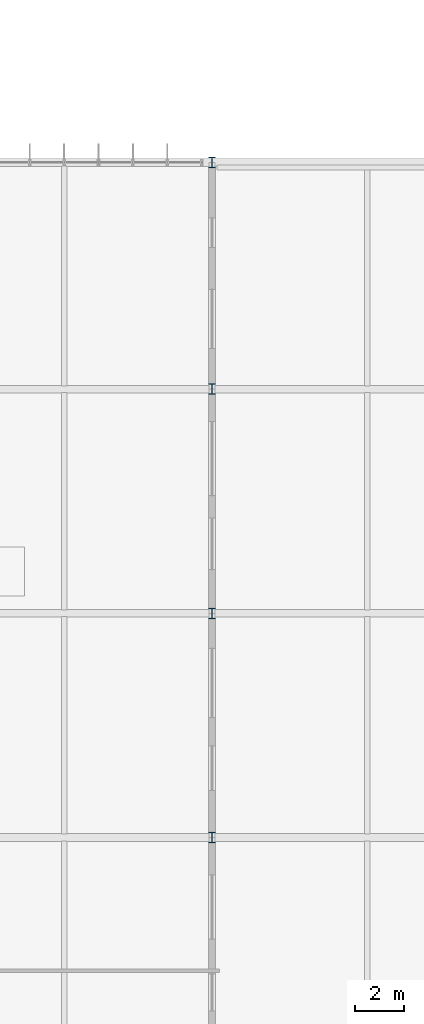
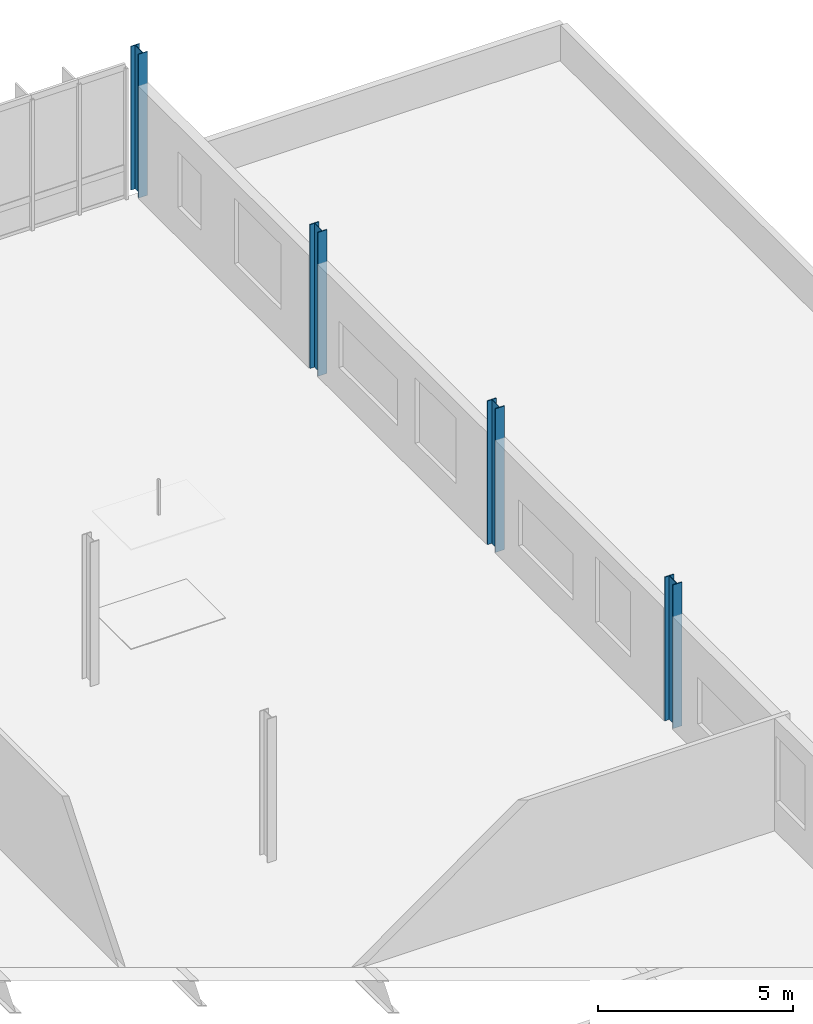
# One storey, part 17 of 139: 4 columns.
"""IFC4 building model written with IfcOpenShell, lengths in metres."""

from ifc_helpers import new_model, si_unit, derived_unit, direction, frame, origin, origin_2d, place, context, subcontext, project, spatial, i_section, extrude, material, material_profile, profile_set, type_object, element, save


model = new_model("IFC4")

# Units and contexts
model_context = context("Model", 3, precision=1e-05, world=origin(), true_north=direction((0.0, 1.0)))
body_context = subcontext(model_context, "Body", "Model", "MODEL_VIEW")
ifc_project = project(units=[si_unit("LENGTHUNIT", "METRE"), si_unit("AREAUNIT", "SQUARE_METRE"), si_unit("VOLUMEUNIT", "CUBIC_METRE"), si_unit("PLANEANGLEUNIT", "RADIAN"), si_unit("MASSUNIT", "GRAM", prefix="KILO"), derived_unit("THERMALTRANSMITTANCEUNIT", [(si_unit("MASSUNIT", "GRAM", prefix="KILO"), 1), (si_unit("TIMEUNIT", "SECOND"), -3), (si_unit("THERMODYNAMICTEMPERATUREUNIT", "KELVIN"), -1)])], contexts=[model_context])

# Site, building, storey
site_placement = place(None, origin())
site = spatial("IfcSite", under=ifc_project, at=site_placement, CompositionType="ELEMENT")
building_placement = place(site_placement, origin())
building = spatial("IfcBuilding", under=site, at=building_placement, Name="Makaiwela Harbour Ferry Terminal", CompositionType="ELEMENT")
storey_placement = place(building_placement, frame((0.0, 0.0, 5.10009765625)))
storey = spatial("IfcBuildingStorey", under=building, at=storey_placement, Name="L01", CompositionType="ELEMENT", Elevation=5.10009765625)

# Columns
ifc_material = material(Name="Steel ASTM A992 Grade 50", Category="steel")
ifc_material_profile = material_profile(ifc_material, i_section(OverallWidth=0.264892578125, OverallDepth=0.430908203125, WebThickness=0.014892578125, FlangeThickness=0.02490234375, at=origin_2d()), Name="W16X100")
ifc_profile_set = profile_set([ifc_material_profile], Name="Steel ASTM A992 Grade 50")
column_type = type_object("IfcColumnType", Name="STR-COL-W16X100", PredefinedType="COLUMN", material=ifc_profile_set)
for number, where, z_axis, x_axis, name in (
    (1, (167.39990234375, 67.60009765625, 0.0), (0.0, 0.0, 1.0), (1.0, 0.0, 0.0), "Structural Column C-03"),
    (2, (167.39990234375, 76.699951171875, 0.0), (0.0, 0.0, 1.0), (1.0, 0.0, 0.0), "Structural Column C-03"),
    (3, (167.39990234375, 85.800048828125, 0.0), (0.0, 0.0, 1.0), (1.0, 0.0, 0.0), "Structural Column C-03"),
    (4, (167.39990234375, 95.0, 0.0), (0.0, 0.0, 1.0), (1.0, 0.0, 0.0), "Structural Column C-03"),
):
    element("IfcColumn", number, at=place(storey_placement, frame(where, z_axis=z_axis, x_axis=x_axis)), inside=storey, type_object=column_type, Name=name, PredefinedType="COLUMN", context=body_context, shape_type="SweptSolid", body=[
        extrude(i_section(OverallWidth=0.264892578125, OverallDepth=0.430908203125, WebThickness=0.014892578125, FlangeThickness=0.02490234375, at=origin_2d()), origin(), (0.0, 0.0, 1.0), 4.5),
    ])

save(model, "model.ifc")
